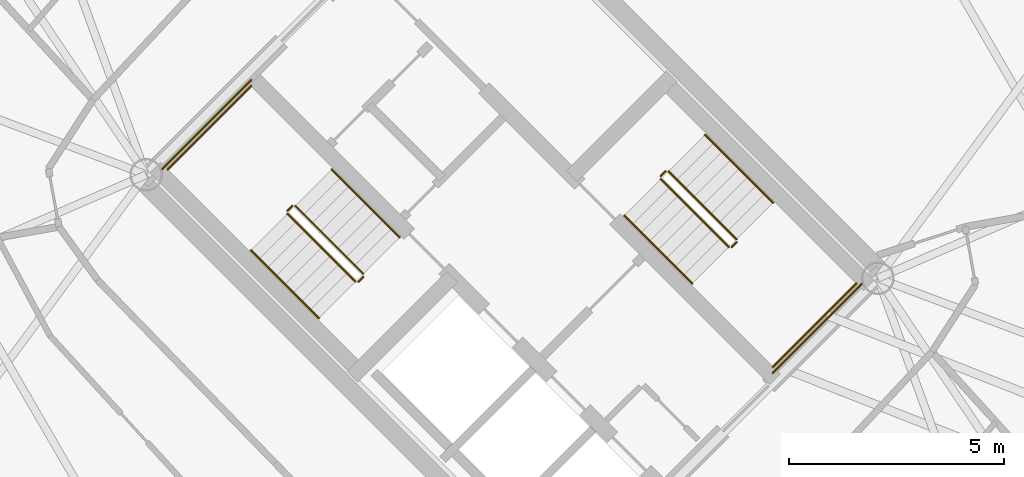
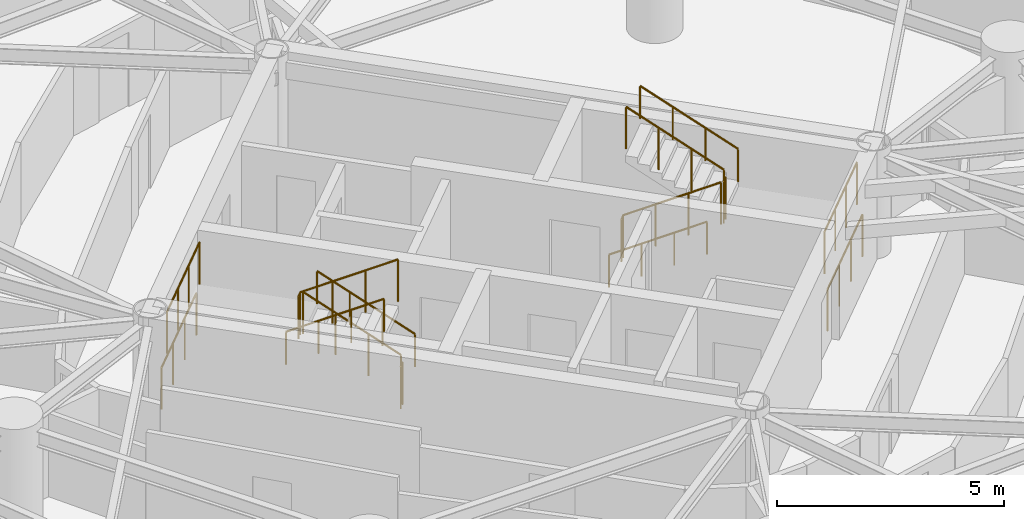
# One storey, part 18 of 19: 16 railings.
"""IFC4 building model written with IfcOpenShell, lengths in metres."""

from ifc_helpers import new_model, si_unit, direction, frame, origin, origin_2d, place, context, subcontext, project, spatial, circle, extrude, material, type_object, element, save


model = new_model("IFC4")

# Units and contexts
model_context = context("Model", 3, precision=1e-05, world=origin(), true_north=direction((0.0, 1.0)))
body_context = subcontext(model_context, "Body", "Model", "MODEL_VIEW")
ifc_project = project(units=[si_unit("LENGTHUNIT", "METRE"), si_unit("AREAUNIT", "SQUARE_METRE"), si_unit("VOLUMEUNIT", "CUBIC_METRE"), si_unit("PLANEANGLEUNIT", "RADIAN"), si_unit("MASSUNIT", "GRAM", prefix="KILO")], contexts=[model_context])

# Site, building, storey
site_placement = place(None, origin())
site = spatial("IfcSite", under=ifc_project, at=site_placement, CompositionType="ELEMENT")
building_placement = place(site_placement, origin())
building = spatial("IfcBuilding", under=site, at=building_placement, Name="Cununo Teusaquillo Station Towers", CompositionType="ELEMENT")
storey_placement = place(building_placement, frame((0.0, 0.0, 160.330078125)))
storey = spatial("IfcBuildingStorey", under=building, at=storey_placement, Name="L50", CompositionType="ELEMENT", Elevation=160.330078125)

# Railings
ifc_material_1 = material(Name="Steel EN 10025-2 S355J2", Category="steel")
railing_type_1 = type_object("IfcRailingType", Name="RL-INT-GUARD", PredefinedType="GUARDRAIL", material=ifc_material_1)
railing_1_placement = place(storey_placement, frame((54.03515625, 23.39697265625, 0.16162109375)))
element("IfcRailing", 1, at=railing_1_placement, inside=storey, type_object=railing_type_1, Name="L50 ST-T2-1 stair guard 1", PredefinedType="GUARDRAIL", context=body_context, shape_type="SweptSolid", body=[
    extrude(circle(Radius=0.02392578125, at=origin_2d()), frame((0.0, 0.0, 1.1259765625), z_axis=(-0.612361259024, 0.612361259024, 0.500027376144), x_axis=(-0.707106781187, -0.707106781187, 0.0)), (0.0, 0.0, 1.0), 2.586181640625),
    extrude(circle(Radius=0.02099609375, at=origin_2d()), origin(), (0.0, 0.0, 1.0), 1.101806640625),
    extrude(circle(Radius=0.02099609375, at=origin_2d()), frame((-0.52783203125, 0.52783203125, 0.43115234375)), (0.0, 0.0, 1.0), 1.101806640625),
    extrude(circle(Radius=0.02099609375, at=origin_2d()), frame((-1.055908203125, 1.055908203125, 0.862060546875)), (0.0, 0.0, 1.0), 1.101806640625),
    extrude(circle(Radius=0.02099609375, at=origin_2d()), frame((-1.583740234375, 1.583740234375, 1.293212890625)), (0.0, 0.0, 1.0), 1.101806640625),
])
railing_2_placement = place(storey_placement, frame((52.380615234375, 24.980712890625, 1.454833984375)))
element("IfcRailing", 2, at=railing_2_placement, inside=storey, type_object=railing_type_1, Name="L50 ST-T2-1 stair guard 2", PredefinedType="GUARDRAIL", context=body_context, shape_type="SweptSolid", body=[
    extrude(circle(Radius=0.02392578125, at=origin_2d()), frame((0.0, 0.0, 1.1259765625), z_axis=(-0.7078691598, -0.706343579714, 0.0), x_axis=(0.706343579714, -0.7078691598, 0.0)), (0.0, 0.0, 1.0), 0.159912109375),
    extrude(circle(Radius=0.02099609375, at=origin_2d()), origin(), (0.0, 0.0, 1.0), 1.101806640625),
    extrude(circle(Radius=0.02099609375, at=origin_2d()), frame((-0.11328125, -0.113037109375, 0.0)), (0.0, 0.0, 1.0), 1.101806640625),
])
railing_3_placement = place(storey_placement, frame((51.426025390625, 27.77392578125, 1.454833984375)))
element("IfcRailing", 3, at=railing_3_placement, inside=storey, type_object=railing_type_1, Name="L50 ST-T2-1 stair guard 3", PredefinedType="GUARDRAIL", context=body_context, shape_type="SweptSolid", body=[
    extrude(circle(Radius=0.02392578125, at=origin_2d()), frame((0.0, 0.0, 1.1259765625), z_axis=(-0.707106781187, -0.707106781187, 0.0), x_axis=(0.707106781187, -0.707106781187, 0.0)), (0.0, 0.0, 1.0), 2.760009765625),
    extrude(circle(Radius=0.02099609375, at=origin_2d()), origin(), (0.0, 0.0, 1.0), 1.101806640625),
    extrude(circle(Radius=0.02099609375, at=origin_2d()), frame((-0.650634765625, -0.650634765625, 0.0)), (0.0, 0.0, 1.0), 1.101806640625),
    extrude(circle(Radius=0.02099609375, at=origin_2d()), frame((-1.301025390625, -1.301025390625, 0.0)), (0.0, 0.0, 1.0), 1.101806640625),
    extrude(circle(Radius=0.02099609375, at=origin_2d()), frame((-1.95166015625, -1.95166015625, 0.0)), (0.0, 0.0, 1.0), 1.101806640625),
])
railing_4_placement = place(storey_placement, frame((52.267333984375, 24.796875, 1.61669921875)))
element("IfcRailing", 4, at=railing_4_placement, inside=storey, type_object=railing_type_1, Name="L50 ST-T2-1 stair guard 4", PredefinedType="GUARDRAIL", context=body_context, shape_type="SweptSolid", body=[
    extrude(circle(Radius=0.02392578125, at=origin_2d()), frame((0.0, 0.0, 1.1259765625), z_axis=(0.612420254088, -0.612325861324, 0.499998471934), x_axis=(0.707052281454, 0.707161276719, 0.0)), (0.0, 0.0, 1.0), 2.58642578125),
    extrude(circle(Radius=0.02099609375, at=origin_2d()), origin(), (0.0, 0.0, 1.0), 1.101806640625),
    extrude(circle(Radius=0.02099609375, at=origin_2d()), frame((0.528076171875, -0.52783203125, 0.43115234375)), (0.0, 0.0, 1.0), 1.101806640625),
    extrude(circle(Radius=0.02099609375, at=origin_2d()), frame((1.055908203125, -1.055908203125, 0.862060546875)), (0.0, 0.0, 1.0), 1.101806640625),
    extrude(circle(Radius=0.02099609375, at=origin_2d()), frame((1.583984375, -1.583740234375, 1.293212890625)), (0.0, 0.0, 1.0), 1.101806640625),
])
railing_5_placement = place(storey_placement, frame((54.03515625, 23.326171875, 0.0)))
element("IfcRailing", 5, at=railing_5_placement, inside=storey, type_object=railing_type_1, Name="L50 ST-T2-1 stair guard 5", PredefinedType="GUARDRAIL", context=body_context, shape_type="SweptSolid", body=[
    extrude(circle(Radius=0.02392578125, at=origin_2d()), frame((0.0, 0.0, 1.1259765625), z_axis=(-0.707106781187, -0.707106781187, 0.0), x_axis=(0.707106781187, -0.707106781187, 0.0)), (0.0, 0.0, 1.0), 0.159912109375),
    extrude(circle(Radius=0.02099609375, at=origin_2d()), origin(), (0.0, 0.0, 1.0), 1.101806640625),
    extrude(circle(Radius=0.02099609375, at=origin_2d()), frame((-0.113037109375, -0.113037109375, 0.0)), (0.0, 0.0, 1.0), 1.101806640625),
])
railing_6_placement = place(storey_placement, frame((51.426025390625, 27.915283203125, 0.0)))
element("IfcRailing", 6, at=railing_6_placement, inside=storey, type_object=railing_type_1, Name="L50 ST-T2-1 stair guard 6", PredefinedType="GUARDRAIL", context=body_context, shape_type="SweptSolid", body=[
    extrude(circle(Radius=0.02392578125, at=origin_2d()), frame((0.0, 0.0, 1.1259765625), z_axis=(-0.707106781187, -0.707106781187, 0.0), x_axis=(0.707106781187, -0.707106781187, 0.0)), (0.0, 0.0, 1.0), 2.9599609375),
    extrude(circle(Radius=0.02099609375, at=origin_2d()), origin(), (0.0, 0.0, 1.0), 1.101806640625),
    extrude(circle(Radius=0.02099609375, at=origin_2d()), frame((-0.69775390625, -0.69775390625, 0.0)), (0.0, 0.0, 1.0), 1.101806640625),
    extrude(circle(Radius=0.02099609375, at=origin_2d()), frame((-1.395263671875, -1.395263671875, 0.0)), (0.0, 0.0, 1.0), 1.101806640625),
    extrude(circle(Radius=0.02099609375, at=origin_2d()), frame((-2.093017578125, -2.093017578125, 0.0)), (0.0, 0.0, 1.0), 1.101806640625),
])
railing_7_placement = place(storey_placement, frame((60.96484375, 25.60302734375, 0.16162109375)))
element("IfcRailing", 7, at=railing_7_placement, inside=storey, type_object=railing_type_1, Name="L50 ST-T2-2 stair guard 1", PredefinedType="GUARDRAIL", context=body_context, shape_type="SweptSolid", body=[
    extrude(circle(Radius=0.02392578125, at=origin_2d()), frame((0.0, 0.0, 1.1259765625), z_axis=(0.612361259024, -0.612361259024, 0.500027376144), x_axis=(0.707106781187, 0.707106781187, 0.0)), (0.0, 0.0, 1.0), 2.586181640625),
    extrude(circle(Radius=0.02099609375, at=origin_2d()), origin(), (0.0, 0.0, 1.0), 1.101806640625),
    extrude(circle(Radius=0.02099609375, at=origin_2d()), frame((0.52783203125, -0.52783203125, 0.43115234375)), (0.0, 0.0, 1.0), 1.101806640625),
    extrude(circle(Radius=0.02099609375, at=origin_2d()), frame((1.055908203125, -1.055908203125, 0.862060546875)), (0.0, 0.0, 1.0), 1.101806640625),
    extrude(circle(Radius=0.02099609375, at=origin_2d()), frame((1.583740234375, -1.583740234375, 1.293212890625)), (0.0, 0.0, 1.0), 1.101806640625),
])
railing_8_placement = place(storey_placement, frame((62.619384765625, 24.019287109375, 1.454833984375)))
element("IfcRailing", 8, at=railing_8_placement, inside=storey, type_object=railing_type_1, Name="L50 ST-T2-2 stair guard 2", PredefinedType="GUARDRAIL", context=body_context, shape_type="SweptSolid", body=[
    extrude(circle(Radius=0.02392578125, at=origin_2d()), frame((0.0, 0.0, 1.1259765625), z_axis=(0.7078691598, 0.706343579714, 0.0), x_axis=(-0.706343579714, 0.7078691598, 0.0)), (0.0, 0.0, 1.0), 0.159912109375),
    extrude(circle(Radius=0.02099609375, at=origin_2d()), origin(), (0.0, 0.0, 1.0), 1.101806640625),
    extrude(circle(Radius=0.02099609375, at=origin_2d()), frame((0.11328125, 0.113037109375, 0.0)), (0.0, 0.0, 1.0), 1.101806640625),
])
railing_9_placement = place(storey_placement, frame((63.573974609375, 21.22607421875, 1.454833984375)))
element("IfcRailing", 9, at=railing_9_placement, inside=storey, type_object=railing_type_1, Name="L50 ST-T2-2 stair guard 3", PredefinedType="GUARDRAIL", context=body_context, shape_type="SweptSolid", body=[
    extrude(circle(Radius=0.02392578125, at=origin_2d()), frame((0.0, 0.0, 1.1259765625), z_axis=(0.707106781187, 0.707106781187, 0.0), x_axis=(-0.707106781187, 0.707106781187, 0.0)), (0.0, 0.0, 1.0), 2.760009765625),
    extrude(circle(Radius=0.02099609375, at=origin_2d()), origin(), (0.0, 0.0, 1.0), 1.101806640625),
    extrude(circle(Radius=0.02099609375, at=origin_2d()), frame((0.650634765625, 0.650634765625, 0.0)), (0.0, 0.0, 1.0), 1.101806640625),
    extrude(circle(Radius=0.02099609375, at=origin_2d()), frame((1.301025390625, 1.301025390625, 0.0)), (0.0, 0.0, 1.0), 1.101806640625),
    extrude(circle(Radius=0.02099609375, at=origin_2d()), frame((1.95166015625, 1.95166015625, 0.0)), (0.0, 0.0, 1.0), 1.101806640625),
])
railing_10_placement = place(storey_placement, frame((62.732666015625, 24.203125, 1.61669921875)))
element("IfcRailing", 10, at=railing_10_placement, inside=storey, type_object=railing_type_1, Name="L50 ST-T2-2 stair guard 4", PredefinedType="GUARDRAIL", context=body_context, shape_type="SweptSolid", body=[
    extrude(circle(Radius=0.02392578125, at=origin_2d()), frame((0.0, 0.0, 1.1259765625), z_axis=(-0.612420254088, 0.612325861324, 0.499998471934), x_axis=(-0.707052281454, -0.707161276719, 0.0)), (0.0, 0.0, 1.0), 2.58642578125),
    extrude(circle(Radius=0.02099609375, at=origin_2d()), origin(), (0.0, 0.0, 1.0), 1.101806640625),
    extrude(circle(Radius=0.02099609375, at=origin_2d()), frame((-0.528076171875, 0.52783203125, 0.43115234375)), (0.0, 0.0, 1.0), 1.101806640625),
    extrude(circle(Radius=0.02099609375, at=origin_2d()), frame((-1.055908203125, 1.055908203125, 0.862060546875)), (0.0, 0.0, 1.0), 1.101806640625),
    extrude(circle(Radius=0.02099609375, at=origin_2d()), frame((-1.583984375, 1.583740234375, 1.293212890625)), (0.0, 0.0, 1.0), 1.101806640625),
])
railing_11_placement = place(storey_placement, frame((60.96484375, 25.673828125, 0.0)))
element("IfcRailing", 11, at=railing_11_placement, inside=storey, type_object=railing_type_1, Name="L50 ST-T2-2 stair guard 5", PredefinedType="GUARDRAIL", context=body_context, shape_type="SweptSolid", body=[
    extrude(circle(Radius=0.02392578125, at=origin_2d()), frame((0.0, 0.0, 1.1259765625), z_axis=(0.707106781187, 0.707106781187, 0.0), x_axis=(-0.707106781187, 0.707106781187, 0.0)), (0.0, 0.0, 1.0), 0.159912109375),
    extrude(circle(Radius=0.02099609375, at=origin_2d()), origin(), (0.0, 0.0, 1.0), 1.101806640625),
    extrude(circle(Radius=0.02099609375, at=origin_2d()), frame((0.113037109375, 0.113037109375, 0.0)), (0.0, 0.0, 1.0), 1.101806640625),
])
railing_12_placement = place(storey_placement, frame((63.573974609375, 21.084716796875, 0.0)))
element("IfcRailing", 12, at=railing_12_placement, inside=storey, type_object=railing_type_1, Name="L50 ST-T2-2 stair guard 6", PredefinedType="GUARDRAIL", context=body_context, shape_type="SweptSolid", body=[
    extrude(circle(Radius=0.02392578125, at=origin_2d()), frame((0.0, 0.0, 1.1259765625), z_axis=(0.707106781187, 0.707106781187, 0.0), x_axis=(-0.707106781187, 0.707106781187, 0.0)), (0.0, 0.0, 1.0), 2.9599609375),
    extrude(circle(Radius=0.02099609375, at=origin_2d()), origin(), (0.0, 0.0, 1.0), 1.101806640625),
    extrude(circle(Radius=0.02099609375, at=origin_2d()), frame((0.69775390625, 0.69775390625, 0.0)), (0.0, 0.0, 1.0), 1.101806640625),
    extrude(circle(Radius=0.02099609375, at=origin_2d()), frame((1.395263671875, 1.395263671875, 0.0)), (0.0, 0.0, 1.0), 1.101806640625),
    extrude(circle(Radius=0.02099609375, at=origin_2d()), frame((2.093017578125, 2.093017578125, 0.0)), (0.0, 0.0, 1.0), 1.101806640625),
])
ifc_material_2 = material(Name="Steel EN 10025-2 S355J2", Category="steel")
railing_type_2 = type_object("IfcRailingType", Name="RL-INT-HRAIL", PredefinedType="HANDRAIL", material=ifc_material_2)
railing_13_placement = place(storey_placement, frame((54.8837890625, 24.245361328125, 0.16162109375)))
element("IfcRailing", 13, at=railing_13_placement, inside=storey, type_object=railing_type_2, Name="L50 ST-T2-1 stair handrail 1", PredefinedType="HANDRAIL", context=body_context, shape_type="SweptSolid", body=[
    extrude(circle(Radius=0.02392578125, at=origin_2d()), frame((0.0, 0.0, 0.8759765625), z_axis=(-0.612384857071, 0.612384857071, 0.499969572735), x_axis=(-0.707106781187, -0.707106781187, 0.0)), (0.0, 0.0, 1.0), 2.586669921875),
    extrude(circle(Radius=0.02099609375, at=origin_2d()), origin(), (0.0, 0.0, 1.0), 0.851806640625),
    extrude(circle(Radius=0.02099609375, at=origin_2d()), frame((-0.528076171875, 0.528076171875, 0.43115234375)), (0.0, 0.0, 1.0), 0.851806640625),
    extrude(circle(Radius=0.02099609375, at=origin_2d()), frame((-1.055908203125, 1.055908203125, 0.862060546875)), (0.0, 0.0, 1.0), 0.851806640625),
    extrude(circle(Radius=0.02099609375, at=origin_2d()), frame((-1.583984375, 1.583984375, 1.293212890625)), (0.0, 0.0, 1.0), 0.851806640625),
])
for number, where, name in (
    (14, (51.4189453125, 23.948486328125, 1.61669921875), "L50 ST-T2-1 stair handrail 2"),
    (15, (60.1162109375, 24.754638671875, 0.16162109375), "L50 ST-T2-2 stair handrail 1"),
):
    element("IfcRailing", number, at=place(storey_placement, frame(where)), inside=storey, type_object=railing_type_2, Name=name, PredefinedType="HANDRAIL", context=body_context, shape_type="SweptSolid", body=[
        extrude(circle(Radius=0.02392578125, at=origin_2d()), frame((0.0, 0.0, 0.8759765625), z_axis=(0.612384857071, -0.612384857071, 0.499969572735), x_axis=(0.707106781187, 0.707106781187, 0.0)), (0.0, 0.0, 1.0), 2.586669921875),
        extrude(circle(Radius=0.02099609375, at=origin_2d()), origin(), (0.0, 0.0, 1.0), 0.851806640625),
        extrude(circle(Radius=0.02099609375, at=origin_2d()), frame((0.528076171875, -0.528076171875, 0.43115234375)), (0.0, 0.0, 1.0), 0.851806640625),
        extrude(circle(Radius=0.02099609375, at=origin_2d()), frame((1.055908203125, -1.055908203125, 0.862060546875)), (0.0, 0.0, 1.0), 0.851806640625),
        extrude(circle(Radius=0.02099609375, at=origin_2d()), frame((1.583984375, -1.583984375, 1.293212890625)), (0.0, 0.0, 1.0), 0.851806640625),
    ])
railing_14_placement = place(storey_placement, frame((63.5810546875, 25.051513671875, 1.61669921875)))
element("IfcRailing", 16, at=railing_14_placement, inside=storey, type_object=railing_type_2, Name="L50 ST-T2-2 stair handrail 2", PredefinedType="HANDRAIL", context=body_context, shape_type="SweptSolid", body=[
    extrude(circle(Radius=0.02392578125, at=origin_2d()), frame((0.0, 0.0, 0.8759765625), z_axis=(-0.612384857071, 0.612384857071, 0.499969572735), x_axis=(-0.707106781187, -0.707106781187, 0.0)), (0.0, 0.0, 1.0), 2.586669921875),
    extrude(circle(Radius=0.02099609375, at=origin_2d()), origin(), (0.0, 0.0, 1.0), 0.851806640625),
    extrude(circle(Radius=0.02099609375, at=origin_2d()), frame((-0.528076171875, 0.528076171875, 0.43115234375)), (0.0, 0.0, 1.0), 0.851806640625),
    extrude(circle(Radius=0.02099609375, at=origin_2d()), frame((-1.055908203125, 1.055908203125, 0.862060546875)), (0.0, 0.0, 1.0), 0.851806640625),
    extrude(circle(Radius=0.02099609375, at=origin_2d()), frame((-1.583984375, 1.583984375, 1.293212890625)), (0.0, 0.0, 1.0), 0.851806640625),
])

save(model, "model.ifc")
